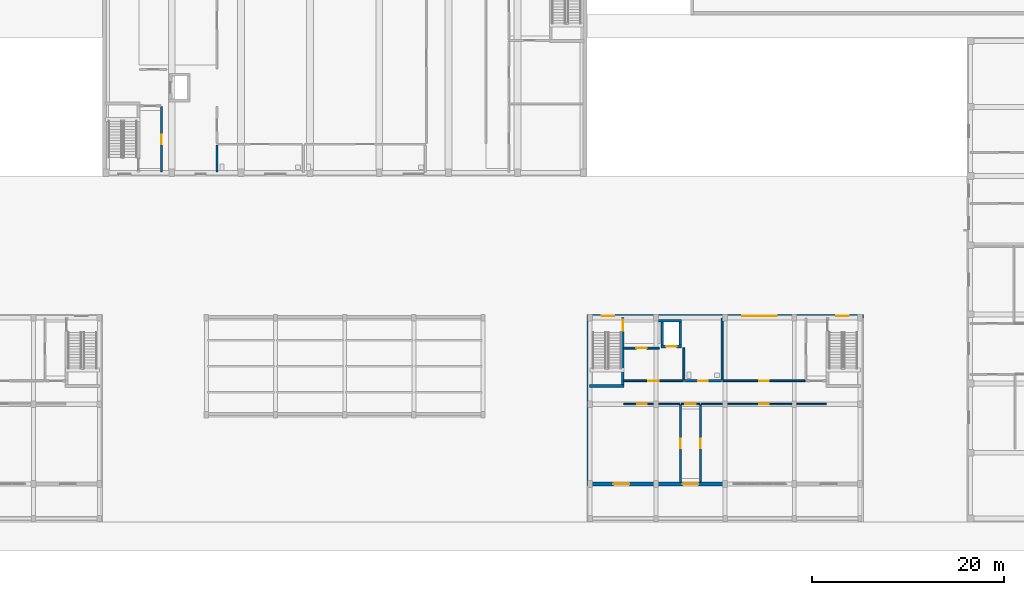
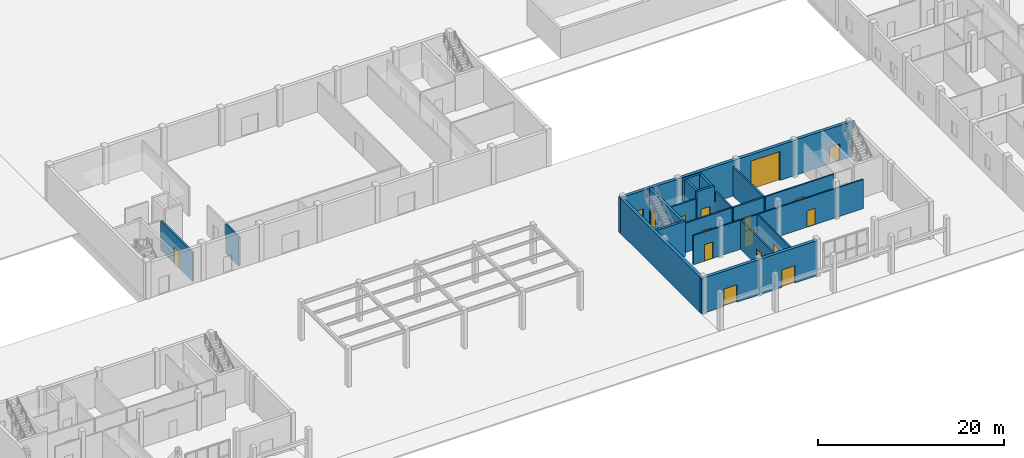
# One storey, part 40 of 85: 23 walls, 17 doors, 17 openings.
"""IFC4 building model written with IfcOpenShell, lengths in metres."""

from ifc_helpers import new_model, si_unit, derived_unit, direction, frame, frame_2d, origin, place, context, subcontext, project, spatial, rectangle, extrude, material, layer, layer_set, type_object, element, fill, save


model = new_model("IFC4")

# Units and contexts
model_context = context("Model", 3, precision=1e-05, world=origin(), true_north=direction((0.0, 1.0)))
body_context = subcontext(model_context, "Body", "Model", "MODEL_VIEW")
ifc_project = project(units=[si_unit("LENGTHUNIT", "METRE"), si_unit("AREAUNIT", "SQUARE_METRE"), si_unit("VOLUMEUNIT", "CUBIC_METRE"), si_unit("PLANEANGLEUNIT", "RADIAN"), si_unit("MASSUNIT", "GRAM", prefix="KILO"), derived_unit("THERMALTRANSMITTANCEUNIT", [(si_unit("MASSUNIT", "GRAM", prefix="KILO"), 1), (si_unit("TIMEUNIT", "SECOND"), -3), (si_unit("THERMODYNAMICTEMPERATUREUNIT", "KELVIN"), -1)])], contexts=[model_context])

# Site, building, storey
site_placement = place(None, origin())
site = spatial("IfcSite", under=ifc_project, at=site_placement, CompositionType="ELEMENT")
building_placement = place(site_placement, origin())
building = spatial("IfcBuilding", under=site, at=building_placement, Name="Ochrekiln Boulevard Commons", CompositionType="ELEMENT")
storey_placement = place(building_placement, origin())
storey = spatial("IfcBuildingStorey", under=building, at=storey_placement, Name="L00", CompositionType="ELEMENT", Elevation=0.0)

# Wall, openings, doors
ifc_material_1 = material(Name="Desert ochre clinker brick masonry ASTM C216 Grade SW", Category="masonry")
ifc_layer_1 = layer(ifc_material_1, 0.3798828125)
ifc_layer_set_1 = layer_set([ifc_layer_1], Name="Desert ochre clinker brick masonry ASTM C216 Grade SW")
wall_type_1 = type_object("IfcWallType", Name="WL-EXT-ARC-380", PredefinedType="SOLIDWALL", material=ifc_layer_set_1)
wall_1_placement = place(storey_placement, frame((108.0, 21.409912109375, 0.0), z_axis=(0.0, 0.0, 1.0), x_axis=(1.0, 0.0, 0.0)))
wall_1 = element("IfcWall", 1, at=wall_1_placement, inside=storey, type_object=wall_type_1, Name="East Boulevard Arcade L00 N Exterior Wall", PredefinedType="SOLIDWALL", context=body_context, shape_type="SweptSolid", body=[
    extrude(rectangle(XDim=28.800048828125, YDim=0.3798828125, at=frame_2d((14.39990234375, 0.0))), origin(), (0.0, 0.0, 1.0), 4.625),
])
opening_1_placement = place(wall_1_placement, frame((1.550048828125, 0.0, 0.0)))
opening_1 = element("IfcOpeningElement", 2, at=opening_1_placement, cuts=wall_1, Name="Opening D-L00-AE1", PredefinedType="OPENING", context=body_context, shape_type="SweptSolid", body=[
    extrude(rectangle(XDim=1.300048828125, YDim=2.199951171875, at=frame_2d((0.64990234375, 1.10009765625))), frame((0.0, 0.199951171875, 0.0), z_axis=(0.0, -1.0, 0.0), x_axis=(1.0, 0.0, 0.0)), (0.0, 0.0, 1.0), 0.39990234375),
])
opening_2_placement = place(wall_1_placement, frame((25.949951171875, 0.0, 0.0)))
opening_2 = element("IfcOpeningElement", 3, at=opening_2_placement, cuts=wall_1, Name="Opening D-L00-AE2", PredefinedType="OPENING", context=body_context, shape_type="SweptSolid", body=[
    extrude(rectangle(XDim=1.300048828125, YDim=2.199951171875, at=frame_2d((0.64990234375, 1.10009765625))), frame((0.0, 0.199951171875, 0.0), z_axis=(0.0, -1.0, 0.0), x_axis=(1.0, 0.0, 0.0)), (0.0, 0.0, 1.0), 0.39990234375),
])
opening_3_placement = place(wall_1_placement, frame((16.199951171875, 0.0, 0.0)))
opening_3 = element("IfcOpeningElement", 4, at=opening_3_placement, cuts=wall_1, Name="Opening D-L00-LDB", PredefinedType="OPENING", context=body_context, shape_type="SweptSolid", body=[
    extrude(rectangle(XDim=3.60009765625, YDim=3.800048828125, at=frame_2d((1.800048828125, 1.89990234375))), frame((0.0, 0.199951171875, 0.0), z_axis=(0.0, -1.0, 0.0), x_axis=(1.0, 0.0, 0.0)), (0.0, 0.0, 1.0), 0.39990234375),
])
ifc_material_2 = material(Name="Bronze-anodized extruded aluminium 6063-T6", Category="aluminium")
door_type_1 = type_object("IfcDoorType", Name="DR-EXT-LOAD-360", OperationType="ROLLINGUP", PredefinedType="DOOR", material=ifc_material_2)
door_1_placement = place(opening_3_placement, origin())
door_1 = element("IfcDoor", 5, at=door_1_placement, inside=storey, type_object=door_type_1, Name="Screened Truck Loading Berth Overhead Door", OperationType="ROLLINGUP", OverallHeight=3.800048828125, OverallWidth=3.60009765625, PredefinedType="DOOR", context=body_context, shape_type="SweptSolid", body=[
    extrude(rectangle(XDim=3.60009765625, YDim=3.800048828125, at=frame_2d((1.800048828125, 1.89990234375))), frame((0.0, 0.02490234375, 0.0), z_axis=(0.0, -1.0, 0.0), x_axis=(1.0, 0.0, 0.0)), (0.0, 0.0, 1.0), 0.050048828125),
])
fill(opening_3, door_1)
door_type_2 = type_object("IfcDoorType", Name="DR-EXT-STAIR-130", OperationType="NOTDEFINED", PredefinedType="DOOR", material=ifc_material_2)
door_2_placement = place(opening_1_placement, origin())
door_2 = element("IfcDoor", 6, at=door_2_placement, inside=storey, type_object=door_type_2, Name="East Boulevard Arcade Stair ST-E1 Exterior Exit Door", OperationType="SINGLE_SWING_LEFT", OverallHeight=2.199951171875, OverallWidth=1.300048828125, PredefinedType="DOOR", context=body_context, shape_type="SweptSolid", body=[
    extrude(rectangle(XDim=1.300048828125, YDim=2.199951171875, at=frame_2d((0.64990234375, 1.10009765625))), frame((0.0, 0.02490234375, 0.0), z_axis=(0.0, -1.0, 0.0), x_axis=(1.0, 0.0, 0.0)), (0.0, 0.0, 1.0), 0.050048828125),
])
fill(opening_1, door_2)
door_3_placement = place(opening_2_placement, origin())
door_3 = element("IfcDoor", 7, at=door_3_placement, inside=storey, type_object=door_type_2, Name="East Boulevard Arcade Stair ST-E2 Exterior Exit Door", OperationType="SINGLE_SWING_LEFT", OverallHeight=2.199951171875, OverallWidth=1.300048828125, PredefinedType="DOOR", context=body_context, shape_type="SweptSolid", body=[
    extrude(rectangle(XDim=1.300048828125, YDim=2.199951171875, at=frame_2d((0.64990234375, 1.10009765625))), frame((0.0, 0.02490234375, 0.0), z_axis=(0.0, -1.0, 0.0), x_axis=(1.0, 0.0, 0.0)), (0.0, 0.0, 1.0), 0.050048828125),
])
fill(opening_2, door_3)

# Wall
wall_2_placement = place(storey_placement, frame((108.18994140625, 4.139892578125, 0.0), z_axis=(0.0, 0.0, 1.0), x_axis=(0.0, 1.0, 0.0)))
element("IfcWall", 8, at=wall_2_placement, inside=storey, type_object=wall_type_1, Name="East Boulevard Arcade L00 W Exterior Wall", PredefinedType="SOLIDWALL", context=body_context, shape_type="SweptSolid", body=[
    extrude(rectangle(XDim=17.080078125, YDim=0.3798828125, at=frame_2d((8.5400390625, 0.0))), origin(), (0.0, 0.0, 1.0), 4.625),
])

# Wall, opening, door
wall_3_placement = place(storey_placement, frame((108.0, 3.949951171875, 0.0), z_axis=(0.0, 0.0, 1.0), x_axis=(1.0, 0.0, 0.0)))
wall_3 = element("IfcWall", 9, at=wall_3_placement, inside=storey, type_object=wall_type_1, Name="East Boulevard Arcade Shopfront Portal Wall 1", PredefinedType="SOLIDWALL", context=body_context, shape_type="SweptSolid", body=[
    extrude(rectangle(XDim=7.199951171875, YDim=0.3798828125, at=frame_2d((3.60009765625, 0.0))), origin(), (0.0, 0.0, 1.0), 4.625),
])
opening_4_placement = place(wall_3_placement, frame((2.77490234375, 0.0, 0.0)))
opening_4 = element("IfcOpeningElement", 10, at=opening_4_placement, cuts=wall_3, Name="Opening D-L00-SHE1", PredefinedType="OPENING", context=body_context, shape_type="SweptSolid", body=[
    extrude(rectangle(XDim=1.64990234375, YDim=2.300048828125, at=frame_2d((0.824951171875, 1.14990234375))), frame((0.0, 0.199951171875, 0.0), z_axis=(0.0, -1.0, 0.0), x_axis=(1.0, 0.0, 0.0)), (0.0, 0.0, 1.0), 0.39990234375),
])
door_type_3 = type_object("IfcDoorType", Name="DR-EXT-SHOP-165", OperationType="DOUBLE_DOOR_SINGLE_SWING", PredefinedType="DOOR", material=ifc_material_2)
door_4_placement = place(opening_4_placement, frame((1.64990234375, 0.0, 0.0), z_axis=(0.0, 0.0, 1.0), x_axis=(-1.0, 0.0, 0.0)))
door_4 = element("IfcDoor", 11, at=door_4_placement, inside=storey, type_object=door_type_3, Name="East Boulevard Arcade Retail Shop Entrance Door 1", OperationType="DOUBLE_DOOR_SINGLE_SWING", OverallHeight=2.300048828125, OverallWidth=1.64990234375, PredefinedType="DOOR", context=body_context, shape_type="SweptSolid", body=[
    extrude(rectangle(XDim=1.64990234375, YDim=2.300048828125, at=frame_2d((0.824951171875, 1.14990234375))), frame((0.0, 0.02490234375, 0.0), z_axis=(0.0, -1.0, 0.0), x_axis=(1.0, 0.0, 0.0)), (0.0, 0.0, 1.0), 0.050048828125),
])
fill(opening_4, door_4)

wall_4_placement = place(storey_placement, frame((115.199951171875, 3.949951171875, 0.0), z_axis=(0.0, 0.0, 1.0), x_axis=(1.0, 0.0, 0.0)))
wall_4 = element("IfcWall", 12, at=wall_4_placement, inside=storey, type_object=wall_type_1, Name="East Boulevard Arcade Shopfront Portal Wall 2", PredefinedType="SOLIDWALL", context=body_context, shape_type="SweptSolid", body=[
    extrude(rectangle(XDim=7.199951171875, YDim=0.3798828125, at=frame_2d((3.60009765625, 0.0))), origin(), (0.0, 0.0, 1.0), 4.625),
])
opening_5_placement = place(wall_4_placement, frame((2.77490234375, 0.0, 0.0)))
opening_5 = element("IfcOpeningElement", 13, at=opening_5_placement, cuts=wall_4, Name="Opening D-L00-SHE2", PredefinedType="OPENING", context=body_context, shape_type="SweptSolid", body=[
    extrude(rectangle(XDim=1.64990234375, YDim=2.300048828125, at=frame_2d((0.824951171875, 1.14990234375))), frame((0.0, 0.199951171875, 0.0), z_axis=(0.0, -1.0, 0.0), x_axis=(1.0, 0.0, 0.0)), (0.0, 0.0, 1.0), 0.39990234375),
])
door_5_placement = place(opening_5_placement, frame((1.64990234375, 0.0, 0.0), z_axis=(0.0, 0.0, 1.0), x_axis=(-1.0, 0.0, 0.0)))
door_5 = element("IfcDoor", 14, at=door_5_placement, inside=storey, type_object=door_type_3, Name="East Boulevard Arcade Breezeway Passage Entrance Door 2", OperationType="DOUBLE_DOOR_SINGLE_SWING", OverallHeight=2.300048828125, OverallWidth=1.64990234375, PredefinedType="DOOR", context=body_context, shape_type="SweptSolid", body=[
    extrude(rectangle(XDim=1.64990234375, YDim=2.300048828125, at=frame_2d((0.824951171875, 1.14990234375))), frame((0.0, 0.02490234375, 0.0), z_axis=(0.0, -1.0, 0.0), x_axis=(1.0, 0.0, 0.0)), (0.0, 0.0, 1.0), 0.050048828125),
])
fill(opening_5, door_5)

# Walls
ifc_material_3 = material(Name="Moisture-resistant cementitious tile backer wall")
ifc_layer_2 = layer(ifc_material_3, 0.199951171875)
ifc_layer_set_2 = layer_set([ifc_layer_2], Name="Moisture-resistant cementitious tile backer wall")
wall_type_2 = type_object("IfcWallType", Name="WL-PLM-200", PredefinedType="PLUMBINGWALL", material=ifc_layer_set_2)
wall_5_placement = place(storey_placement, frame((118.110107421875, 14.780029296875, 0.0), z_axis=(0.0, 0.0, 1.0), x_axis=(0.0, 1.0, 0.0)))
element("IfcWall", 15, at=wall_5_placement, inside=storey, type_object=wall_type_2, Name="L00 Interior Wall W-PW200", PredefinedType="PLUMBINGWALL", context=body_context, shape_type="SweptSolid", body=[
    extrude(rectangle(XDim=3.344970703125, YDim=0.199951171875, at=frame_2d((1.67236328125, 0.0))), origin(), (0.0, 0.0, 1.0), 3.840087890625),
])
wall_6_placement = place(storey_placement, frame((122.090087890625, 14.77197265625, 0.0), z_axis=(0.0, 0.0, 1.0), x_axis=(0.0, 1.0, 0.0)))
element("IfcWall", 16, at=wall_6_placement, inside=storey, type_object=wall_type_2, Name="L00 Interior Wall W-PW200", PredefinedType="PLUMBINGWALL", context=body_context, shape_type="SweptSolid", body=[
    extrude(rectangle(XDim=6.447998046875, YDim=0.199951171875, at=frame_2d((3.22412109375, 0.0))), origin(), (0.0, 0.0, 1.0), 3.840087890625),
])

# Wall, opening, door
ifc_layer_3 = layer(ifc_material_3, 0.219970703125)
ifc_layer_set_3 = layer_set([ifc_layer_3], Name="Moisture-resistant cementitious tile backer wall")
wall_type_3 = type_object("IfcWallType", Name="WL-PLM-220", PredefinedType="PLUMBINGWALL", material=ifc_layer_set_3)
wall_7_placement = place(storey_placement, frame((118.199951171875, 14.68994140625, 0.0), z_axis=(0.0, 0.0, 1.0), x_axis=(1.0, 0.0, 0.0)))
wall_7 = element("IfcWall", 17, at=wall_7_placement, inside=storey, type_object=wall_type_3, Name="L00 Interior Wall W-PW220", PredefinedType="PLUMBINGWALL", context=body_context, shape_type="SweptSolid", body=[
    extrude(rectangle(XDim=3.800048828125, YDim=0.219970703125, at=frame_2d((1.89990234375, 0.0))), origin(), (0.0, 0.0, 1.0), 3.840087890625),
])
opening_6_placement = place(wall_7_placement, frame((1.419921875, 0.0, 0.0)))
opening_6 = element("IfcOpeningElement", 18, at=opening_6_placement, cuts=wall_7, Name="Opening D-L00-145", PredefinedType="OPENING", context=body_context, shape_type="SweptSolid", body=[
    extrude(rectangle(XDim=0.9599609375, YDim=2.050048828125, at=frame_2d((0.47998046875, 1.02490234375))), frame((0.0, 0.119873046875, 0.0), z_axis=(0.0, -1.0, 0.0), x_axis=(1.0, 0.0, 0.0)), (0.0, 0.0, 1.0), 0.239990234375),
])
ifc_material_4 = material(Name="Solid core architectural oak door leaf")
door_type_4 = type_object("IfcDoorType", Name="DR-INT-ADA-096", OperationType="NOTDEFINED", PredefinedType="DOOR", material=ifc_material_4)
door_6_placement = place(opening_6_placement, origin())
door_6 = element("IfcDoor", 19, at=door_6_placement, inside=storey, type_object=door_type_4, Name="L00 Interior Door to Shopfront Accessible WC", OperationType="SINGLE_SWING_LEFT", OverallHeight=2.050048828125, OverallWidth=0.9599609375, PredefinedType="DOOR", context=body_context, shape_type="SweptSolid", body=[
    extrude(rectangle(XDim=0.9599609375, YDim=2.050048828125, at=frame_2d((0.47998046875, 1.02490234375))), frame((0.0, 0.02490234375, 0.0), z_axis=(0.0, -1.0, 0.0), x_axis=(1.0, 0.0, 0.0)), (0.0, 0.0, 1.0), 0.050048828125),
])
fill(opening_6, door_6)

ifc_material_5 = material(Name="Fire-rated Type X gypsum board on steel studs", Category="steel")
ifc_layer_4 = layer(ifc_material_5, 0.1650390625)
ifc_layer_set_4 = layer_set([ifc_layer_4], Name="Fire-rated Type X gypsum board on steel studs")
wall_type_4 = type_object("IfcWallType", Name="WL-PT-CORR-165", PredefinedType="PARTITIONING", material=ifc_layer_set_4)
wall_8_placement = place(storey_placement, frame((117.85009765625, 12.25, 0.0), z_axis=(0.0, 0.0, 1.0), x_axis=(1.0, 0.0, 0.0)))
wall_8 = element("IfcWall", 20, at=wall_8_placement, inside=storey, type_object=wall_type_4, Name="L00 Interior Wall W-PC165", PredefinedType="PARTITIONING", context=body_context, shape_type="SweptSolid", body=[
    extrude(rectangle(XDim=1.89990234375, YDim=0.1650390625, at=frame_2d((0.949951171875, 0.0))), origin(), (0.0, 0.0, 1.0), 3.840087890625),
])
opening_7_placement = place(wall_8_placement, frame((0.39990234375, 0.0, 0.0)))
opening_7 = element("IfcOpeningElement", 21, at=opening_7_placement, cuts=wall_8, Name="Opening D-L00-137", PredefinedType="OPENING", context=body_context, shape_type="SweptSolid", body=[
    extrude(rectangle(XDim=1.10009765625, YDim=2.1201171875, at=frame_2d((0.550048828125, 1.06005859375))), frame((0.0, 0.092529296875, 0.0), z_axis=(0.0, -1.0, 0.0), x_axis=(1.0, 0.0, 0.0)), (0.0, 0.0, 1.0), 0.18505859375),
])
ifc_material_6 = material(Name="Hollow metal fire-rated steel door assembly", Category="steel")
door_type_5 = type_object("IfcDoorType", Name="DR-LOBBY-60", OperationType="NOTDEFINED", PredefinedType="DOOR", material=ifc_material_6)
door_7_placement = place(opening_7_placement, origin())
door_7 = element("IfcDoor", 22, at=door_7_placement, inside=storey, type_object=door_type_5, Name="L00 Interior Door to Arcade Rear Service Corridor", OperationType="SINGLE_SWING_LEFT", OverallHeight=2.1201171875, OverallWidth=1.10009765625, PredefinedType="DOOR", context=body_context, shape_type="SweptSolid", body=[
    extrude(rectangle(XDim=1.10009765625, YDim=2.1201171875, at=frame_2d((0.550048828125, 1.06005859375))), frame((0.0, 0.02490234375, 0.0), z_axis=(0.0, -1.0, 0.0), x_axis=(1.0, 0.0, 0.0)), (0.0, 0.0, 1.0), 0.050048828125),
])
fill(opening_7, door_7)

wall_9_placement = place(storey_placement, frame((117.760009765625, 4.139892578125, 0.0), z_axis=(0.0, 0.0, 1.0), x_axis=(0.0, 1.0, 0.0)))
wall_9 = element("IfcWall", 23, at=wall_9_placement, inside=storey, type_object=wall_type_4, Name="L00 Interior Wall W-PC165", PredefinedType="PARTITIONING", context=body_context, shape_type="SweptSolid", body=[
    extrude(rectangle(XDim=8.028076171875, YDim=0.1650390625, at=frame_2d((4.01416015625, 0.0))), origin(), (0.0, 0.0, 1.0), 3.840087890625),
])
opening_8_placement = place(wall_9_placement, frame((3.5, 0.0, 0.0)))
opening_8 = element("IfcOpeningElement", 24, at=opening_8_placement, cuts=wall_9, Name="Opening D-L00-138", PredefinedType="OPENING", context=body_context, shape_type="SweptSolid", body=[
    extrude(rectangle(XDim=1.02001953125, YDim=2.159912109375, at=frame_2d((0.510009765625, 1.080078125))), frame((0.0, 0.092529296875, 0.0), z_axis=(0.0, -1.0, 0.0), x_axis=(1.0, 0.0, 0.0)), (0.0, 0.0, 1.0), 0.18505859375),
])
door_type_6 = type_object("IfcDoorType", Name="DR-INT-CIV-102", OperationType="NOTDEFINED", PredefinedType="DOOR", material=ifc_material_4)
door_8_placement = place(opening_8_placement, origin())
door_8 = element("IfcDoor", 25, at=door_8_placement, inside=storey, type_object=door_type_6, Name="L00 Interior Door to Boulevard Cafe Dining Room", OperationType="SINGLE_SWING_RIGHT", OverallHeight=2.159912109375, OverallWidth=1.02001953125, PredefinedType="DOOR", context=body_context, shape_type="SweptSolid", body=[
    extrude(rectangle(XDim=1.02001953125, YDim=2.159912109375, at=frame_2d((0.510009765625, 1.080078125))), frame((0.0, 0.02490234375, 0.0), z_axis=(0.0, -1.0, 0.0), x_axis=(1.0, 0.0, 0.0)), (0.0, 0.0, 1.0), 0.050048828125),
])
fill(opening_8, door_8)

wall_10_placement = place(storey_placement, frame((119.840087890625, 4.139892578125, 0.0), z_axis=(0.0, 0.0, 1.0), x_axis=(0.0, 1.0, 0.0)))
wall_10 = element("IfcWall", 26, at=wall_10_placement, inside=storey, type_object=wall_type_4, Name="L00 Interior Wall W-PC165", PredefinedType="PARTITIONING", context=body_context, shape_type="SweptSolid", body=[
    extrude(rectangle(XDim=8.028076171875, YDim=0.1650390625, at=frame_2d((4.01416015625, 0.0))), origin(), (0.0, 0.0, 1.0), 3.840087890625),
])
opening_9_placement = place(wall_10_placement, frame((3.5, 0.0, 0.0)))
opening_9 = element("IfcOpeningElement", 27, at=opening_9_placement, cuts=wall_10, Name="Opening D-L00-139", PredefinedType="OPENING", context=body_context, shape_type="SweptSolid", body=[
    extrude(rectangle(XDim=1.02001953125, YDim=2.159912109375, at=frame_2d((0.510009765625, 1.080078125))), frame((0.0, 0.092529296875, 0.0), z_axis=(0.0, -1.0, 0.0), x_axis=(1.0, 0.0, 0.0)), (0.0, 0.0, 1.0), 0.18505859375),
])
door_9_placement = place(opening_9_placement, frame((1.02001953125, 0.0, 0.0), z_axis=(0.0, 0.0, 1.0), x_axis=(-1.0, 0.0, 0.0)))
door_9 = element("IfcDoor", 28, at=door_9_placement, inside=storey, type_object=door_type_6, Name="L00 Interior Door to Artisan Bakery Retail Shop", OperationType="SINGLE_SWING_LEFT", OverallHeight=2.159912109375, OverallWidth=1.02001953125, PredefinedType="DOOR", context=body_context, shape_type="SweptSolid", body=[
    extrude(rectangle(XDim=1.02001953125, YDim=2.159912109375, at=frame_2d((0.510009765625, 1.080078125))), frame((0.0, 0.02490234375, 0.0), z_axis=(0.0, -1.0, 0.0), x_axis=(1.0, 0.0, 0.0)), (0.0, 0.0, 1.0), 0.050048828125),
])
fill(opening_9, door_9)

wall_11_placement = place(storey_placement, frame((111.85009765625, 12.25, 0.0), z_axis=(0.0, 0.0, 1.0), x_axis=(1.0, 0.0, 0.0)))
wall_11 = element("IfcWall", 29, at=wall_11_placement, inside=storey, type_object=wall_type_4, Name="L00 Interior Wall W-PC165", PredefinedType="PARTITIONING", context=body_context, shape_type="SweptSolid", body=[
    extrude(rectangle(XDim=5.827880859375, YDim=0.1650390625, at=frame_2d((2.9140625, 0.0))), origin(), (0.0, 0.0, 1.0), 3.840087890625),
])
opening_10_placement = place(wall_11_placement, frame((1.39990234375, 0.0, 0.0)))
opening_10 = element("IfcOpeningElement", 30, at=opening_10_placement, cuts=wall_11, Name="Opening D-L00-143", PredefinedType="OPENING", context=body_context, shape_type="SweptSolid", body=[
    extrude(rectangle(XDim=1.02001953125, YDim=2.159912109375, at=frame_2d((0.510009765625, 1.080078125))), frame((0.0, 0.092529296875, 0.0), z_axis=(0.0, -1.0, 0.0), x_axis=(1.0, 0.0, 0.0)), (0.0, 0.0, 1.0), 0.18505859375),
])
door_10_placement = place(opening_10_placement, frame((1.02001953125, 0.0, 0.0), z_axis=(0.0, 0.0, 1.0), x_axis=(-1.0, 0.0, 0.0)))
door_10 = element("IfcDoor", 31, at=door_10_placement, inside=storey, type_object=door_type_6, Name="L00 Interior Door to Boulevard Cafe Dining Room", OperationType="SINGLE_SWING_LEFT", OverallHeight=2.159912109375, OverallWidth=1.02001953125, PredefinedType="DOOR", context=body_context, shape_type="SweptSolid", body=[
    extrude(rectangle(XDim=1.02001953125, YDim=2.159912109375, at=frame_2d((0.510009765625, 1.080078125))), frame((0.0, 0.02490234375, 0.0), z_axis=(0.0, -1.0, 0.0), x_axis=(1.0, 0.0, 0.0)), (0.0, 0.0, 1.0), 0.050048828125),
])
fill(opening_10, door_10)

wall_12_placement = place(storey_placement, frame((119.922119140625, 12.25, 0.0), z_axis=(0.0, 0.0, 1.0), x_axis=(1.0, 0.0, 0.0)))
wall_12 = element("IfcWall", 32, at=wall_12_placement, inside=storey, type_object=wall_type_4, Name="L00 Interior Wall W-PC165", PredefinedType="PARTITIONING", context=body_context, shape_type="SweptSolid", body=[
    extrude(rectangle(XDim=13.02783203125, YDim=0.1650390625, at=frame_2d((6.513916015625, 0.0))), origin(), (0.0, 0.0, 1.0), 3.840087890625),
])
opening_11_placement = place(wall_12_placement, frame((6.008056640625, 0.0, 0.0)))
opening_11 = element("IfcOpeningElement", 33, at=opening_11_placement, cuts=wall_12, Name="Opening D-L00-144", PredefinedType="OPENING", context=body_context, shape_type="SweptSolid", body=[
    extrude(rectangle(XDim=1.02001953125, YDim=2.159912109375, at=frame_2d((0.510009765625, 1.080078125))), frame((0.0, 0.092529296875, 0.0), z_axis=(0.0, -1.0, 0.0), x_axis=(1.0, 0.0, 0.0)), (0.0, 0.0, 1.0), 0.18505859375),
])
door_11_placement = place(opening_11_placement, frame((1.02001953125, 0.0, 0.0), z_axis=(0.0, 0.0, 1.0), x_axis=(-1.0, 0.0, 0.0)))
door_11 = element("IfcDoor", 34, at=door_11_placement, inside=storey, type_object=door_type_6, Name="L00 Interior Door to Artisan Bakery Retail Shop", OperationType="SINGLE_SWING_RIGHT", OverallHeight=2.159912109375, OverallWidth=1.02001953125, PredefinedType="DOOR", context=body_context, shape_type="SweptSolid", body=[
    extrude(rectangle(XDim=1.02001953125, YDim=2.159912109375, at=frame_2d((0.510009765625, 1.080078125))), frame((0.0, 0.02490234375, 0.0), z_axis=(0.0, -1.0, 0.0), x_axis=(1.0, 0.0, 0.0)), (0.0, 0.0, 1.0), 0.050048828125),
])
fill(opening_11, door_11)

wall_13_placement = place(storey_placement, frame((122.179931640625, 14.68994140625, 0.0), z_axis=(0.0, 0.0, 1.0), x_axis=(1.0, 0.0, 0.0)))
wall_13 = element("IfcWall", 35, at=wall_13_placement, inside=storey, type_object=wall_type_4, Name="L00 Interior Wall W-PC165", PredefinedType="PARTITIONING", context=body_context, shape_type="SweptSolid", body=[
    extrude(rectangle(XDim=8.5400390625, YDim=0.1650390625, at=frame_2d((4.27001953125, 0.0))), origin(), (0.0, 0.0, 1.0), 3.840087890625),
])
opening_12_placement = place(wall_13_placement, frame((3.760009765625, 0.0, 0.0)))
opening_12 = element("IfcOpeningElement", 36, at=opening_12_placement, cuts=wall_13, Name="Opening D-L00-146", PredefinedType="OPENING", context=body_context, shape_type="SweptSolid", body=[
    extrude(rectangle(XDim=1.02001953125, YDim=2.159912109375, at=frame_2d((0.510009765625, 1.080078125))), frame((0.0, 0.092529296875, 0.0), z_axis=(0.0, -1.0, 0.0), x_axis=(1.0, 0.0, 0.0)), (0.0, 0.0, 1.0), 0.18505859375),
])
door_12_placement = place(opening_12_placement, origin())
door_12 = element("IfcDoor", 37, at=door_12_placement, inside=storey, type_object=door_type_6, Name="L00 Interior Door to Screened Truck Loading Berth", OperationType="SINGLE_SWING_RIGHT", OverallHeight=2.159912109375, OverallWidth=1.02001953125, PredefinedType="DOOR", context=body_context, shape_type="SweptSolid", body=[
    extrude(rectangle(XDim=1.02001953125, YDim=2.159912109375, at=frame_2d((0.510009765625, 1.080078125))), frame((0.0, 0.02490234375, 0.0), z_axis=(0.0, -1.0, 0.0), x_axis=(1.0, 0.0, 0.0)), (0.0, 0.0, 1.0), 0.050048828125),
])
fill(opening_12, door_12)

ifc_material_7 = material(Name="Concrete C35/45", Category="concrete")
ifc_layer_5 = layer(ifc_material_7, 0.2099609375)
ifc_layer_set_5 = layer_set([ifc_layer_5], Name="Concrete C35/45")
wall_type_5 = type_object("IfcWallType", Name="WL-PT-FCC-210", PredefinedType="PARTITIONING", material=ifc_layer_set_5)
wall_14_placement = place(storey_placement, frame((63.739990234375, 36.39990234375, 0.0), z_axis=(0.0, 0.0, 1.0), x_axis=(0.0, 1.0, 0.0)))
wall_14 = element("IfcWall", 38, at=wall_14_placement, inside=storey, type_object=wall_type_5, Name="L00 Interior Wall W-PF210", PredefinedType="PARTITIONING", context=body_context, shape_type="SweptSolid", body=[
    extrude(rectangle(XDim=6.820068359375, YDim=0.2099609375, at=frame_2d((3.41015625, 0.0))), origin(), (0.0, 0.0, 1.0), 3.840087890625),
])
opening_13_placement = place(wall_14_placement, frame((2.89990234375, 0.0, 0.0)))
opening_13 = element("IfcOpeningElement", 39, at=opening_13_placement, cuts=wall_14, Name="Opening D-L00-103", PredefinedType="OPENING", context=body_context, shape_type="SweptSolid", body=[
    extrude(rectangle(XDim=1.02001953125, YDim=2.159912109375, at=frame_2d((0.510009765625, 1.080078125))), frame((0.0, 0.114990234375, 0.0), z_axis=(0.0, -1.0, 0.0), x_axis=(1.0, 0.0, 0.0)), (0.0, 0.0, 1.0), 0.22998046875),
])
door_13_placement = place(opening_13_placement, frame((1.02001953125, 0.0, 0.0), z_axis=(0.0, 0.0, 1.0), x_axis=(-1.0, 0.0, 0.0)))
door_13 = element("IfcDoor", 40, at=door_13_placement, inside=storey, type_object=door_type_6, Name="L00 Interior Door to Fire Command Center", OperationType="SINGLE_SWING_LEFT", OverallHeight=2.159912109375, OverallWidth=1.02001953125, PredefinedType="DOOR", context=body_context, shape_type="SweptSolid", body=[
    extrude(rectangle(XDim=1.02001953125, YDim=2.159912109375, at=frame_2d((0.510009765625, 1.080078125))), frame((0.0, 0.02490234375, 0.0), z_axis=(0.0, -1.0, 0.0), x_axis=(1.0, 0.0, 0.0)), (0.0, 0.0, 1.0), 0.050048828125),
])
fill(opening_13, door_13)

# Wall
wall_15_placement = place(storey_placement, frame((69.5, 36.39990234375, 0.0), z_axis=(0.0, 0.0, 1.0), x_axis=(0.0, 1.0, 0.0)))
element("IfcWall", 41, at=wall_15_placement, inside=storey, type_object=wall_type_5, Name="L00 Interior Wall W-PF210", PredefinedType="PARTITIONING", context=body_context, shape_type="SweptSolid", body=[
    extrude(rectangle(XDim=2.820068359375, YDim=0.2099609375, at=frame_2d((1.41015625, 0.0))), origin(), (0.0, 0.0, 1.0), 3.840087890625),
])

# Wall, opening, door
ifc_layer_6 = layer(ifc_material_5, 0.18994140625)
ifc_layer_set_6 = layer_set([ifc_layer_6], Name="Fire-rated Type X gypsum board on steel studs")
wall_type_6 = type_object("IfcWallType", Name="WL-PT-LBY-190", PredefinedType="PARTITIONING", material=ifc_layer_set_6)
wall_16_placement = place(storey_placement, frame((111.85009765625, 18.090087890625, 0.0), z_axis=(0.0, 0.0, 1.0), x_axis=(1.0, 0.0, 0.0)))
wall_16 = element("IfcWall", 42, at=wall_16_placement, inside=storey, type_object=wall_type_6, Name="L00 Interior Wall W-PL190", PredefinedType="PARTITIONING", context=body_context, shape_type="SweptSolid", body=[
    extrude(rectangle(XDim=3.699951171875, YDim=0.18994140625, at=frame_2d((1.85009765625, 0.0))), origin(), (0.0, 0.0, 1.0), 3.840087890625),
])
opening_14_placement = place(wall_16_placement, frame((1.300048828125, 0.0, 0.0)))
opening_14 = element("IfcOpeningElement", 43, at=opening_14_placement, cuts=wall_16, Name="Opening D-L00-140", PredefinedType="OPENING", context=body_context, shape_type="SweptSolid", body=[
    extrude(rectangle(XDim=1.10009765625, YDim=2.1201171875, at=frame_2d((0.550048828125, 1.06005859375))), frame((0.0, 0.10498046875, 0.0), z_axis=(0.0, -1.0, 0.0), x_axis=(1.0, 0.0, 0.0)), (0.0, 0.0, 1.0), 0.2099609375),
])
door_14_placement = place(opening_14_placement, frame((1.10009765625, 0.0, 0.0), z_axis=(0.0, 0.0, 1.0), x_axis=(-1.0, 0.0, 0.0)))
door_14 = element("IfcDoor", 44, at=door_14_placement, inside=storey, type_object=door_type_5, Name="L00 Interior Door to Passenger Elevator Lobby", OperationType="SINGLE_SWING_RIGHT", OverallHeight=2.1201171875, OverallWidth=1.10009765625, PredefinedType="DOOR", context=body_context, shape_type="SweptSolid", body=[
    extrude(rectangle(XDim=1.10009765625, YDim=2.1201171875, at=frame_2d((0.550048828125, 1.06005859375))), frame((0.0, 0.02490234375, 0.0), z_axis=(0.0, -1.0, 0.0), x_axis=(1.0, 0.0, 0.0)), (0.0, 0.0, 1.0), 0.050048828125),
])
fill(opening_14, door_14)

wall_17_placement = place(storey_placement, frame((111.85009765625, 14.68994140625, 0.0), z_axis=(0.0, 0.0, 1.0), x_axis=(1.0, 0.0, 0.0)))
wall_17 = element("IfcWall", 45, at=wall_17_placement, inside=storey, type_object=wall_type_6, Name="L00 Interior Wall W-PL190", PredefinedType="PARTITIONING", context=body_context, shape_type="SweptSolid", body=[
    extrude(rectangle(XDim=6.169921875, YDim=0.18994140625, at=frame_2d((3.0849609375, 0.0))), origin(), (0.0, 0.0, 1.0), 3.840087890625),
])
opening_15_placement = place(wall_17_placement, frame((2.534912109375, 0.0, 0.0)))
opening_15 = element("IfcOpeningElement", 46, at=opening_15_placement, cuts=wall_17, Name="Opening D-L00-141", PredefinedType="OPENING", context=body_context, shape_type="SweptSolid", body=[
    extrude(rectangle(XDim=1.10009765625, YDim=2.1201171875, at=frame_2d((0.550048828125, 1.06005859375))), frame((0.0, 0.10498046875, 0.0), z_axis=(0.0, -1.0, 0.0), x_axis=(1.0, 0.0, 0.0)), (0.0, 0.0, 1.0), 0.2099609375),
])
door_15_placement = place(opening_15_placement, origin())
door_15 = element("IfcDoor", 47, at=door_15_placement, inside=storey, type_object=door_type_5, Name="L00 Interior Door to Passenger Elevator Lobby", OperationType="SINGLE_SWING_LEFT", OverallHeight=2.1201171875, OverallWidth=1.10009765625, PredefinedType="DOOR", context=body_context, shape_type="SweptSolid", body=[
    extrude(rectangle(XDim=1.10009765625, YDim=2.1201171875, at=frame_2d((0.550048828125, 1.06005859375))), frame((0.0, 0.02490234375, 0.0), z_axis=(0.0, -1.0, 0.0), x_axis=(1.0, 0.0, 0.0)), (0.0, 0.0, 1.0), 0.050048828125),
])
fill(opening_15, door_15)

ifc_material_8 = material(Name="Concrete C40/50", Category="concrete")
ifc_layer_7 = layer(ifc_material_8, 0.27490234375)
ifc_layer_set_7 = layer_set([ifc_layer_7], Name="Concrete C40/50")
wall_type_7 = type_object("IfcWallType", Name="WL-SH-275", PredefinedType="SHEAR", material=ifc_layer_set_7)
wall_18_placement = place(storey_placement, frame((115.72509765625, 18.262451171875, 0.0), z_axis=(0.0, 0.0, 1.0), x_axis=(1.0, 0.0, 0.0)))
wall_18 = element("IfcWall", 48, at=wall_18_placement, inside=storey, type_object=wall_type_7, Name="Elevator LP-S2 L00 Hoistway Shear Wall", PredefinedType="SHEAR", context=body_context, shape_type="SweptSolid", body=[
    extrude(rectangle(XDim=2.14990234375, YDim=0.27490234375, at=frame_2d((1.074951171875, 0.0))), origin(), (0.0, 0.0, 1.0), 4.625),
])
opening_16_placement = place(wall_18_placement, frame((0.52490234375, 0.0, 0.0)))
opening_16 = element("IfcOpeningElement", 49, at=opening_16_placement, cuts=wall_18, Name="Opening LD-LP-S2-L00", PredefinedType="OPENING", context=body_context, shape_type="SweptSolid", body=[
    extrude(rectangle(XDim=1.10009765625, YDim=2.14990234375, at=frame_2d((0.550048828125, 1.074951171875))), frame((0.0, 0.1474609375, 0.0), z_axis=(0.0, -1.0, 0.0), x_axis=(1.0, 0.0, 0.0)), (0.0, 0.0, 1.0), 0.294921875),
])
ifc_material_9 = material(Name="Brushed stainless steel 316 elevator cab and doors", Category="steel")
door_type_7 = type_object("IfcDoorType", Name="DR-LIFT-LD90", OperationType="SLIDING_TO_LEFT", PredefinedType="DOOR", material=ifc_material_9)
door_16_placement = place(opening_16_placement, origin())
door_16 = element("IfcDoor", 50, at=door_16_placement, inside=storey, type_object=door_type_7, Name="Elevator LP-S2 L00 Sliding Landing Door LD-LP-S2-L00", OperationType="SLIDING_TO_LEFT", OverallHeight=2.14990234375, OverallWidth=1.10009765625, PredefinedType="DOOR", context=body_context, shape_type="SweptSolid", body=[
    extrude(rectangle(XDim=1.10009765625, YDim=2.14990234375, at=frame_2d((0.550048828125, 1.074951171875))), frame((0.0, 0.02490234375, 0.0), z_axis=(0.0, -1.0, 0.0), x_axis=(1.0, 0.0, 0.0)), (0.0, 0.0, 1.0), 0.050048828125),
])
fill(opening_16, door_16)

# Walls
wall_19_placement = place(storey_placement, frame((115.449951171875, 20.9375, 0.0), z_axis=(0.0, 0.0, 1.0), x_axis=(1.0, 0.0, 0.0)))
element("IfcWall", 51, at=wall_19_placement, inside=storey, type_object=wall_type_7, Name="Elevator LP-S2 L00 Hoistway Shear Wall", PredefinedType="SHEAR", context=body_context, shape_type="SweptSolid", body=[
    extrude(rectangle(XDim=2.425048828125, YDim=0.27490234375, at=frame_2d((1.21240234375, 0.0))), origin(), (0.0, 0.0, 1.0), 4.625),
])
for number, where, z_axis, x_axis, name in (
    (52, (115.862548828125, 18.39990234375, 0.0), (0.0, 0.0, 1.0), (0.0, 1.0, 0.0), "Elevator LP-S2 L00 Hoistway Shear Wall"),
    (53, (117.737548828125, 18.39990234375, 0.0), (0.0, 0.0, 1.0), (0.0, 1.0, 0.0), "Elevator LP-S2 L00 Hoistway Shear Wall"),
):
    element("IfcWall", number, at=place(storey_placement, frame(where, z_axis=z_axis, x_axis=x_axis)), inside=storey, type_object=wall_type_7, Name=name, PredefinedType="SHEAR", context=body_context, shape_type="SweptSolid", body=[
        extrude(rectangle(XDim=2.400146484375, YDim=0.27490234375, at=frame_2d((1.2001953125, 0.0))), origin(), (0.0, 0.0, 1.0), 4.625),
    ])
ifc_layer_8 = layer(ifc_material_8, 0.300048828125)
ifc_layer_set_8 = layer_set([ifc_layer_8], Name="Concrete C40/50")
wall_type_8 = type_object("IfcWallType", Name="WL-SH-300", PredefinedType="SHEAR", material=ifc_layer_set_8)
wall_20_placement = place(storey_placement, frame((108.300048828125, 14.1298828125, 0.0), z_axis=(0.0, 0.0, 1.0), x_axis=(1.0, 0.0, 0.0)))
element("IfcWall", 54, at=wall_20_placement, inside=storey, type_object=wall_type_8, Name="Stair ST-E1 L00 Core Shear Wall S", PredefinedType="SHEAR", context=body_context, shape_type="SweptSolid", body=[
    extrude(rectangle(XDim=3.599853515625, YDim=0.300048828125, at=frame_2d((1.7998046875, 0.0))), origin(), (0.0, 0.0, 1.0), 4.625),
])

# Wall, opening, door
wall_21_placement = place(storey_placement, frame((111.75, 14.280029296875, 0.0), z_axis=(0.0, 0.0, 1.0), x_axis=(0.0, 1.0, 0.0)))
wall_21 = element("IfcWall", 55, at=wall_21_placement, inside=storey, type_object=wall_type_8, Name="Stair ST-E1 L00 Core Shear Wall E", PredefinedType="SHEAR", context=body_context, shape_type="SweptSolid", body=[
    extrude(rectangle(XDim=7.0, YDim=0.300048828125, at=frame_2d((3.5, 0.0))), origin(), (0.0, 0.0, 1.0), 4.625),
])
opening_17_placement = place(wall_21_placement, frame((5.625, 0.0, 0.0)))
opening_17 = element("IfcOpeningElement", 56, at=opening_17_placement, cuts=wall_21, Name="Opening D-L00-ST-E1", PredefinedType="OPENING", context=body_context, shape_type="SweptSolid", body=[
    extrude(rectangle(XDim=1.14990234375, YDim=2.1201171875, at=frame_2d((0.574951171875, 1.06005859375))), frame((0.0, 0.159912109375, 0.0), z_axis=(0.0, -1.0, 0.0), x_axis=(1.0, 0.0, 0.0)), (0.0, 0.0, 1.0), 0.320068359375),
])
door_type_8 = type_object("IfcDoorType", Name="DR-STAIR-90", OperationType="NOTDEFINED", PredefinedType="DOOR", material=ifc_material_6)
door_17_placement = place(opening_17_placement, origin())
door_17 = element("IfcDoor", 57, at=door_17_placement, inside=storey, type_object=door_type_8, Name="Enclosed Exit Stair ST-E1 L00 Rated Door", OperationType="SINGLE_SWING_LEFT", OverallHeight=2.1201171875, OverallWidth=1.14990234375, PredefinedType="DOOR", context=body_context, shape_type="SweptSolid", body=[
    extrude(rectangle(XDim=1.14990234375, YDim=2.1201171875, at=frame_2d((0.574951171875, 1.06005859375))), frame((0.0, 0.02490234375, 0.0), z_axis=(0.0, -1.0, 0.0), x_axis=(1.0, 0.0, 0.0)), (0.0, 0.0, 1.0), 0.050048828125),
])
fill(opening_17, door_17)

save(model, "model.ifc")
